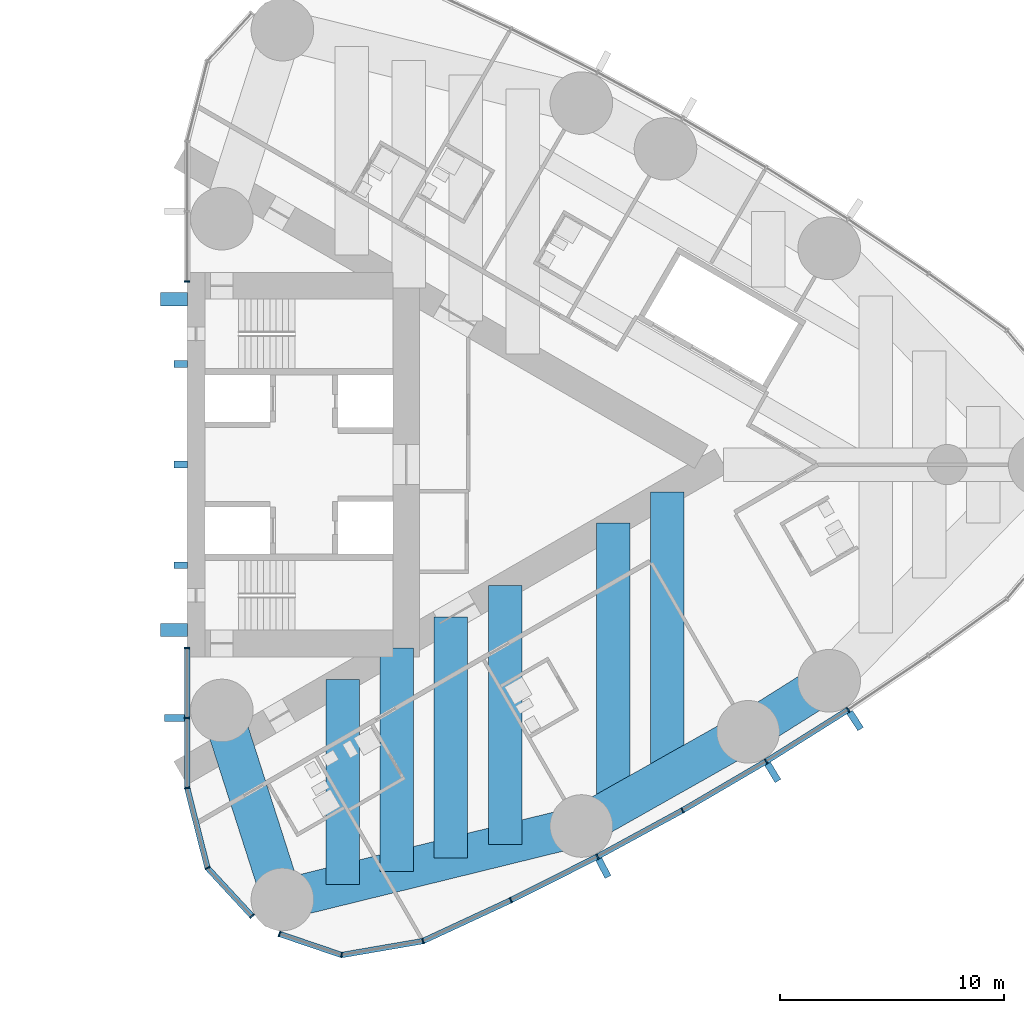
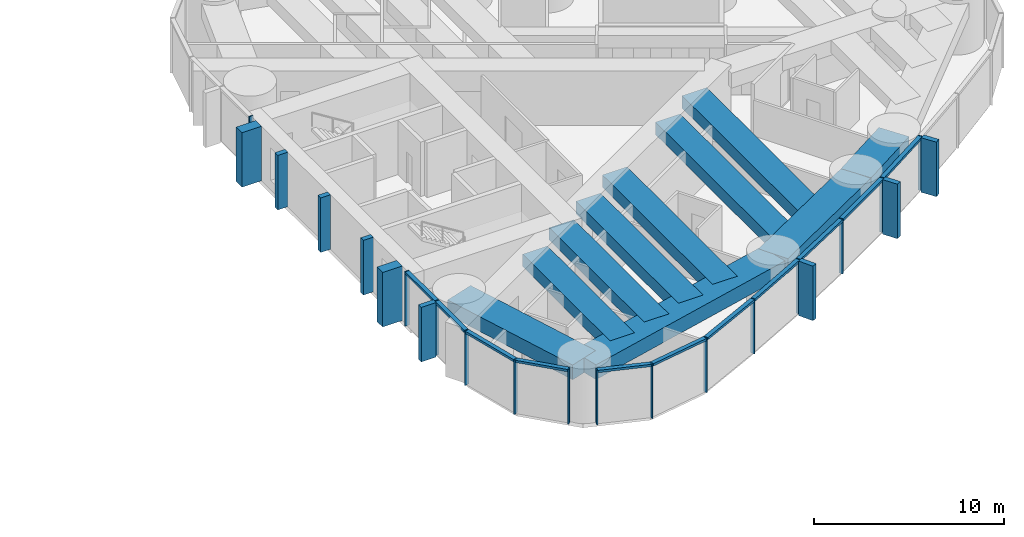
# One storey, part 6 of 19: 34 members, 10 beams, 3 elements without a shape of their own.
"""IFC4 building model written with IfcOpenShell, lengths in metres."""

from ifc_helpers import new_model, si_unit, direction, frame, origin, origin_2d, place, context, subcontext, project, spatial, rectangle, extrude, material, material_profile, profile_set, type_object, element, aggregate, save


model = new_model("IFC4")

# Units and contexts
model_context = context("Model", 3, precision=1e-05, world=origin(), true_north=direction((0.0, 1.0)))
body_context = subcontext(model_context, "Body", "Model", "MODEL_VIEW")
ifc_project = project(units=[si_unit("LENGTHUNIT", "METRE"), si_unit("AREAUNIT", "SQUARE_METRE"), si_unit("VOLUMEUNIT", "CUBIC_METRE"), si_unit("PLANEANGLEUNIT", "RADIAN"), si_unit("MASSUNIT", "GRAM", prefix="KILO")], contexts=[model_context])

# Site, building, storey
site_placement = place(None, origin())
site = spatial("IfcSite", under=ifc_project, at=site_placement, CompositionType="ELEMENT")
building_placement = place(site_placement, origin())
building = spatial("IfcBuilding", under=site, at=building_placement, Name="Lancet Gate Hotel", CompositionType="ELEMENT")
storey_placement = place(building_placement, frame((0.0, 0.0, 184.300048828125)))
storey = spatial("IfcBuildingStorey", under=building, at=storey_placement, Name="L49", CompositionType="ELEMENT", Elevation=184.300048828125)

# Curtain wall, members
ifc_material_1 = material(Name="Aluminium curtain wall", Category="aluminium")
curtain_wall_type = type_object("IfcCurtainWallType", Name="Tower unitised curtain wall", PredefinedType="USERDEFINED", material=ifc_material_1)
curtain_wall_1_placement = place(storey_placement, origin())
curtain_wall_1 = element("IfcCurtainWall", 1, at=curtain_wall_1_placement, inside=storey, type_object=curtain_wall_type, Name="T2 L49 curtain wall 1", ObjectType="UNITISED CURTAIN WALL", PredefinedType="USERDEFINED")
ifc_material_2 = material(Name="Aluminium mullion", Category="aluminium")
ifc_material_profile_1 = material_profile(ifc_material_2, rectangle(XDim=0.06494140625, YDim=0.25, at=origin_2d()), Name="MULLION 65x250")
ifc_profile_set_1 = profile_set([ifc_material_profile_1], Name="Aluminium mullion")
member_type_1 = type_object("IfcMemberType", Name="Aluminium mullion 65x250", PredefinedType="MULLION", material=ifc_profile_set_1)
member_1_placement = place(storey_placement, frame((27.5, -8.199951171875, 0.0), z_axis=(0.0, 0.0, 1.0), x_axis=(0.0, -1.0, 0.0)))
member_1 = element("IfcMember", 2, at=member_1_placement, type_object=member_type_1, Name="T2 L49 curtain wall 1 mullion 1", PredefinedType="MULLION", context=body_context, shape_type="SweptSolid", body=[
    extrude(rectangle(XDim=0.06494140625, YDim=0.25, at=origin_2d()), origin(), (0.0, 0.0, 1.0), 3.5),
])
member_2_placement = place(storey_placement, frame((27.5, -11.332763671875, 0.0), z_axis=(0.0, 0.0, 1.0), x_axis=(0.0, -1.0, 0.0)))
member_2 = element("IfcMember", 3, at=member_2_placement, type_object=member_type_1, Name="T2 L49 curtain wall 1 mullion 2", PredefinedType="MULLION", context=body_context, shape_type="SweptSolid", body=[
    extrude(rectangle(XDim=0.06494140625, YDim=0.25, at=origin_2d()), origin(), (0.0, 0.0, 1.0), 3.5),
])
member_3_placement = place(storey_placement, frame((27.5, -14.465576171875, 0.0), z_axis=(0.0, 0.0, 1.0), x_axis=(0.134206524909, -0.990953383703, 0.0)))
member_3 = element("IfcMember", 4, at=member_3_placement, type_object=member_type_1, Name="T2 L49 curtain wall 1 mullion 3", PredefinedType="MULLION", context=body_context, shape_type="SweptSolid", body=[
    extrude(rectangle(XDim=0.06494140625, YDim=0.25, at=origin_2d()), origin(), (0.0, 0.0, 1.0), 3.5),
])
member_4_placement = place(storey_placement, frame((28.408935546875, -18.04443359375, 0.0), z_axis=(0.0, 0.0, 1.0), x_axis=(0.451505925065, -0.892268120932, 0.0)))
member_4 = element("IfcMember", 5, at=member_4_placement, type_object=member_type_1, Name="T2 L49 curtain wall 1 mullion 4", PredefinedType="MULLION", context=body_context, shape_type="SweptSolid", body=[
    extrude(rectangle(XDim=0.06494140625, YDim=0.25, at=origin_2d()), origin(), (0.0, 0.0, 1.0), 3.5),
])
member_5_placement = place(storey_placement, frame((30.40185546875, -20.199951171875, 0.0), z_axis=(0.0, 0.0, 1.0), x_axis=(0.67883123083, -0.734294327943, 0.0)))
member_5 = element("IfcMember", 6, at=member_5_placement, type_object=member_type_1, Name="T2 L49 curtain wall 1 mullion 5", PredefinedType="MULLION", context=body_context, shape_type="SweptSolid", body=[
    extrude(rectangle(XDim=0.06494140625, YDim=0.25, at=origin_2d()), origin(), (0.0, 0.0, 1.0), 3.5),
])

curtain_wall_2_placement = place(storey_placement, origin())
curtain_wall_2 = element("IfcCurtainWall", 7, at=curtain_wall_2_placement, inside=storey, type_object=curtain_wall_type, Name="T2 L49 curtain wall 2", ObjectType="UNITISED CURTAIN WALL", PredefinedType="USERDEFINED")
member_6_placement = place(storey_placement, frame((31.631591796875, -20.998779296875, 0.0), z_axis=(0.0, 0.0, 1.0), x_axis=(0.946952368511, -0.321373943827, 0.0)))
member_6 = element("IfcMember", 8, at=member_6_placement, type_object=member_type_1, Name="T2 L49 curtain wall 2 mullion 1", PredefinedType="MULLION", context=body_context, shape_type="SweptSolid", body=[
    extrude(rectangle(XDim=0.06494140625, YDim=0.25, at=origin_2d()), origin(), (0.0, 0.0, 1.0), 3.5),
])
member_7_placement = place(storey_placement, frame((34.412109375, -21.9423828125, 0.0), z_axis=(0.0, 0.0, 1.0), x_axis=(0.99877556888, -0.049470829879, 0.0)))
member_7 = element("IfcMember", 9, at=member_7_placement, type_object=member_type_1, Name="T2 L49 curtain wall 2 mullion 2", PredefinedType="MULLION", context=body_context, shape_type="SweptSolid", body=[
    extrude(rectangle(XDim=0.06494140625, YDim=0.25, at=origin_2d()), origin(), (0.0, 0.0, 1.0), 3.5),
])
member_8_placement = place(storey_placement, frame((38.05126953125, -21.31689453125, 0.0), z_axis=(0.0, 0.0, 1.0), x_axis=(0.951355493327, 0.308095318555, 0.0)))
member_8 = element("IfcMember", 10, at=member_8_placement, type_object=member_type_1, Name="T2 L49 curtain wall 2 mullion 3", PredefinedType="MULLION", context=body_context, shape_type="SweptSolid", body=[
    extrude(rectangle(XDim=0.06494140625, YDim=0.25, at=origin_2d()), origin(), (0.0, 0.0, 1.0), 3.5),
])
member_9_placement = place(storey_placement, frame((41.98193359375, -19.490966796875, 0.0), z_axis=(0.0, 0.0, 1.0), x_axis=(0.900141333422, 0.435597956681, 0.0)))
member_9 = element("IfcMember", 11, at=member_9_placement, type_object=member_type_1, Name="T2 L49 curtain wall 2 mullion 4", PredefinedType="MULLION", context=body_context, shape_type="SweptSolid", body=[
    extrude(rectangle(XDim=0.06494140625, YDim=0.25, at=origin_2d()), origin(), (0.0, 0.0, 1.0), 3.5),
])
member_10_placement = place(storey_placement, frame((45.8525390625, -17.54150390625, 0.0), z_axis=(0.0, 0.0, 1.0), x_axis=(0.885877049989, 0.463920092584, 0.0)))
member_10 = element("IfcMember", 12, at=member_10_placement, type_object=member_type_1, Name="T2 L49 curtain wall 2 mullion 5", PredefinedType="MULLION", context=body_context, shape_type="SweptSolid", body=[
    extrude(rectangle(XDim=0.06494140625, YDim=0.25, at=origin_2d()), origin(), (0.0, 0.0, 1.0), 3.5),
])
member_11_placement = place(storey_placement, frame((49.65966796875, -15.47021484375, 0.0), z_axis=(0.0, 0.0, 1.0), x_axis=(0.870721916932, 0.491775704336, 0.0)))
member_11 = element("IfcMember", 13, at=member_11_placement, type_object=member_type_1, Name="T2 L49 curtain wall 2 mullion 6", PredefinedType="MULLION", context=body_context, shape_type="SweptSolid", body=[
    extrude(rectangle(XDim=0.06494140625, YDim=0.25, at=origin_2d()), origin(), (0.0, 0.0, 1.0), 3.5),
])
member_12_placement = place(storey_placement, frame((53.39892578125, -13.279541015625, 0.0), z_axis=(0.0, 0.0, 1.0), x_axis=(0.854691174453, 0.519136779965, 0.0)))
member_12 = element("IfcMember", 14, at=member_12_placement, type_object=member_type_1, Name="T2 L49 curtain wall 2 mullion 7", PredefinedType="MULLION", context=body_context, shape_type="SweptSolid", body=[
    extrude(rectangle(XDim=0.06494140625, YDim=0.25, at=origin_2d()), origin(), (0.0, 0.0, 1.0), 3.5),
])
member_13_placement = place(storey_placement, frame((57.067138671875, -10.970947265625, 0.0), z_axis=(0.0, 0.0, 1.0), x_axis=(0.837800943278, 0.545975804815, 0.0)))
member_13 = element("IfcMember", 15, at=member_13_placement, type_object=member_type_1, Name="T2 L49 curtain wall 2 mullion 8", PredefinedType="MULLION", context=body_context, shape_type="SweptSolid", body=[
    extrude(rectangle(XDim=0.06494140625, YDim=0.25, at=origin_2d()), origin(), (0.0, 0.0, 1.0), 3.5),
])

# Curtain wall, member
curtain_wall_3_placement = place(storey_placement, origin())
curtain_wall_3 = element("IfcCurtainWall", 16, at=curtain_wall_3_placement, inside=storey, type_object=curtain_wall_type, Name="T2 L49 curtain wall 4", ObjectType="UNITISED CURTAIN WALL", PredefinedType="USERDEFINED")
member_14_placement = place(storey_placement, frame((27.5, 8.199951171875, 0.0), z_axis=(0.0, 0.0, 1.0), x_axis=(0.0, -1.0, 0.0)))
member_14 = element("IfcMember", 17, at=member_14_placement, type_object=member_type_1, Name="T2 L49 curtain wall 4 mullion 5", PredefinedType="MULLION", context=body_context, shape_type="SweptSolid", body=[
    extrude(rectangle(XDim=0.06494140625, YDim=0.25, at=origin_2d()), origin(), (0.0, 0.0, 1.0), 3.5),
])
aggregate(curtain_wall_3, [member_14])

# Member
ifc_material_3 = material(Name="Aluminium transom", Category="aluminium")
ifc_material_profile_2 = material_profile(ifc_material_3, rectangle(XDim=0.25, YDim=0.14990234375, at=origin_2d()), Name="TRANSOM 250x150")
ifc_profile_set_2 = profile_set([ifc_material_profile_2], Name="Aluminium transom")
member_type_2 = type_object("IfcMemberType", Name="Aluminium transom 250x150", PredefinedType="USERDEFINED", material=ifc_profile_set_2)
member_15_placement = place(storey_placement, frame((27.5, -8.232421875, 3.425048828125), z_axis=(0.0, -1.0, 0.0), x_axis=(1.0, 0.0, 0.0)))
member_15 = element("IfcMember", 18, at=member_15_placement, type_object=member_type_2, Name="T2 L49 curtain wall 1 transom 1", ObjectType="TRANSOM", PredefinedType="USERDEFINED", context=body_context, shape_type="SweptSolid", body=[
    extrude(rectangle(XDim=0.25, YDim=0.14990234375, at=origin_2d()), origin(), (0.0, 0.0, 1.0), 3.06787109375),
])

member_16_placement = place(storey_placement, frame((27.5, -11.365234375, 3.425048828125), z_axis=(0.0, -1.0, 0.0), x_axis=(1.0, 0.0, 0.0)))
member_16 = element("IfcMember", 19, at=member_16_placement, type_object=member_type_2, Name="T2 L49 curtain wall 1 transom 2", ObjectType="TRANSOM", PredefinedType="USERDEFINED", context=body_context, shape_type="SweptSolid", body=[
    extrude(rectangle(XDim=0.25, YDim=0.14990234375, at=origin_2d()), origin(), (0.0, 0.0, 1.0), 3.06787109375),
])

member_17_placement = place(storey_placement, frame((27.508056640625, -14.4970703125, 3.425048828125), z_axis=(0.246128756616, -0.969237140831, 0.0), x_axis=(0.969237140831, 0.246128756616, 0.0)))
member_17 = element("IfcMember", 20, at=member_17_placement, type_object=member_type_2, Name="T2 L49 curtain wall 1 transom 3", ObjectType="TRANSOM", PredefinedType="USERDEFINED", context=body_context, shape_type="SweptSolid", body=[
    extrude(rectangle(XDim=0.25, YDim=0.14990234375, at=origin_2d()), origin(), (0.0, 0.0, 1.0), 3.62744140625),
])

member_18_placement = place(storey_placement, frame((28.43115234375, -18.068359375, 3.425048828125), z_axis=(0.678792146129, -0.734330458549, 0.0), x_axis=(0.734330458549, 0.678792146129, 0.0)))
member_18 = element("IfcMember", 21, at=member_18_placement, type_object=member_type_2, Name="T2 L49 curtain wall 1 transom 4", ObjectType="TRANSOM", PredefinedType="USERDEFINED", context=body_context, shape_type="SweptSolid", body=[
    extrude(rectangle(XDim=0.25, YDim=0.14990234375, at=origin_2d()), origin(), (0.0, 0.0, 1.0), 2.87060546875),
])

member_19_placement = place(storey_placement, frame((31.662353515625, -21.00927734375, 3.425048828125), z_axis=(0.946943122832, -0.321401185625, 0.0), x_axis=(0.321401185625, 0.946943122832, 0.0)))
member_19 = element("IfcMember", 22, at=member_19_placement, type_object=member_type_2, Name="T2 L49 curtain wall 2 transom 1", ObjectType="TRANSOM", PredefinedType="USERDEFINED", context=body_context, shape_type="SweptSolid", body=[
    extrude(rectangle(XDim=0.25, YDim=0.14990234375, at=origin_2d()), origin(), (0.0, 0.0, 1.0), 2.871337890625),
])

member_20_placement = place(storey_placement, frame((34.444091796875, -21.93701171875, 3.425048828125), z_axis=(0.985536950873, 0.169460669373, 0.0), x_axis=(-0.169460669373, 0.985536950873, 0.0)))
member_20 = element("IfcMember", 23, at=member_20_placement, type_object=member_type_2, Name="T2 L49 curtain wall 2 transom 2", ObjectType="TRANSOM", PredefinedType="USERDEFINED", context=body_context, shape_type="SweptSolid", body=[
    extrude(rectangle(XDim=0.25, YDim=0.14990234375, at=origin_2d()), origin(), (0.0, 0.0, 1.0), 3.627685546875),
])

member_21_placement = place(storey_placement, frame((38.080810546875, -21.30322265625, 3.425048828125), z_axis=(0.906913768492, 0.421316290357, 0.0), x_axis=(-0.421316290357, 0.906913768492, 0.0)))
member_21 = element("IfcMember", 24, at=member_21_placement, type_object=member_type_2, Name="T2 L49 curtain wall 2 transom 3", ObjectType="TRANSOM", PredefinedType="USERDEFINED", context=body_context, shape_type="SweptSolid", body=[
    extrude(rectangle(XDim=0.25, YDim=0.14990234375, at=origin_2d()), origin(), (0.0, 0.0, 1.0), 4.26904296875),
])

member_22_placement = place(storey_placement, frame((42.010986328125, -19.476318359375, 3.425048828125), z_axis=(0.893130969207, 0.449796700571, 0.0), x_axis=(-0.449796700571, 0.893130969207, 0.0)))
member_22 = element("IfcMember", 25, at=member_22_placement, type_object=member_type_2, Name="T2 L49 curtain wall 2 transom 4", ObjectType="TRANSOM", PredefinedType="USERDEFINED", context=body_context, shape_type="SweptSolid", body=[
    extrude(rectangle(XDim=0.25, YDim=0.14990234375, at=origin_2d()), origin(), (0.0, 0.0, 1.0), 4.26904296875),
])

member_23_placement = place(storey_placement, frame((45.881103515625, -17.526123046875, 3.425048828125), z_axis=(0.878404302735, 0.477918278513, 0.0), x_axis=(-0.477918278513, 0.878404302735, 0.0)))
member_23 = element("IfcMember", 26, at=member_23_placement, type_object=member_type_2, Name="T2 L49 curtain wall 2 transom 5", ObjectType="TRANSOM", PredefinedType="USERDEFINED", context=body_context, shape_type="SweptSolid", body=[
    extrude(rectangle(XDim=0.25, YDim=0.14990234375, at=origin_2d()), origin(), (0.0, 0.0, 1.0), 4.26904296875),
])

member_24_placement = place(storey_placement, frame((49.687744140625, -15.453857421875, 3.425048828125), z_axis=(0.862825279032, 0.505502262966, 0.0), x_axis=(-0.505502262966, 0.862825279032, 0.0)))
member_24 = element("IfcMember", 27, at=member_24_placement, type_object=member_type_2, Name="T2 L49 curtain wall 2 transom 6", ObjectType="TRANSOM", PredefinedType="USERDEFINED", context=body_context, shape_type="SweptSolid", body=[
    extrude(rectangle(XDim=0.25, YDim=0.14990234375, at=origin_2d()), origin(), (0.0, 0.0, 1.0), 4.26904296875),
])

member_25_placement = place(storey_placement, frame((53.426513671875, -13.26220703125, 3.425048828125), z_axis=(0.846333101657, 0.532653997488, 0.0), x_axis=(-0.532653997488, 0.846333101657, 0.0)))
member_25 = element("IfcMember", 28, at=member_25_placement, type_object=member_type_2, Name="T2 L49 curtain wall 2 transom 7", ObjectType="TRANSOM", PredefinedType="USERDEFINED", context=body_context, shape_type="SweptSolid", body=[
    extrude(rectangle(XDim=0.25, YDim=0.14990234375, at=origin_2d()), origin(), (0.0, 0.0, 1.0), 4.26904296875),
])

# Beams
ifc_material_4 = material(Name="Concrete C50/60", Category="concrete")
ifc_material_profile_3 = material_profile(ifc_material_4, rectangle(XDim=1.800048828125, YDim=0.949951171875, at=origin_2d()), Name="RC 1800x950")
ifc_profile_set_3 = profile_set([ifc_material_profile_3], Name="Concrete C50/60")
beam_type_1 = type_object("IfcBeamType", Name="Edge beam RC 1800x950", PredefinedType="SPANDREL", material=ifc_profile_set_3)
beam_1_placement = place(storey_placement, frame((31.759765625, -19.455810546875, 2.77490234375), z_axis=(0.971093253227, 0.238700426344, 0.0), x_axis=(-0.238700426344, 0.971093253227, 0.0)))
element("IfcBeam", 29, at=beam_1_placement, inside=storey, type_object=beam_type_1, Name="T2 edge beam EB1 L49", PredefinedType="SPANDREL", context=body_context, shape_type="SweptSolid", body=[
    extrude(rectangle(XDim=1.800048828125, YDim=0.949951171875, at=origin_2d()), origin(), (0.0, 0.0, 1.0), 13.77197265625),
])
beam_2_placement = place(storey_placement, frame((45.133544921875, -16.16845703125, 2.77490234375), z_axis=(0.870721990329, 0.491775574381, 0.0), x_axis=(-0.491775574381, 0.870721990329, 0.0)))
element("IfcBeam", 30, at=beam_2_placement, inside=storey, type_object=beam_type_1, Name="T2 edge beam EB1 L49", PredefinedType="SPANDREL", context=body_context, shape_type="SweptSolid", body=[
    extrude(rectangle(XDim=1.800048828125, YDim=0.949951171875, at=origin_2d()), origin(), (0.0, 0.0, 1.0), 8.568603515625),
])
beam_3_placement = place(storey_placement, frame((52.594482421875, -11.95458984375, 2.77490234375), z_axis=(0.846348902569, 0.532628890617, 0.0), x_axis=(-0.532628890617, 0.846348902569, 0.0)))
element("IfcBeam", 31, at=beam_3_placement, inside=storey, type_object=beam_type_1, Name="T2 edge beam EB1 L49", PredefinedType="SPANDREL", context=body_context, shape_type="SweptSolid", body=[
    extrude(rectangle(XDim=1.800048828125, YDim=0.949951171875, at=origin_2d()), origin(), (0.0, 0.0, 1.0), 4.284912109375),
])
beam_4_placement = place(storey_placement, frame((31.759765625, -19.455810546875, 2.77490234375), z_axis=(-0.305169772986, 0.952297962644, 0.0), x_axis=(-0.952297962644, -0.305169772986, 0.0)))
element("IfcBeam", 32, at=beam_4_placement, inside=storey, type_object=beam_type_1, Name="T2 edge beam EB1 L49", PredefinedType="SPANDREL", context=body_context, shape_type="SweptSolid", body=[
    extrude(rectangle(XDim=1.800048828125, YDim=0.949951171875, at=origin_2d()), origin(), (0.0, 0.0, 1.0), 8.87939453125),
])

# Members
ifc_material_5 = material(Name="Concrete C60/75", Category="concrete")
ifc_material_profile_4 = material_profile(ifc_material_5, rectangle(XDim=0.60009765625, YDim=1.199951171875, at=origin_2d()), Name="FIN 600x1200")
ifc_profile_set_4 = profile_set([ifc_material_profile_4], Name="Concrete C60/75")
member_type_3 = type_object("IfcMemberType", Name="Exposed concrete buttress pilaster 600x1200", PredefinedType="USERDEFINED", material=ifc_profile_set_4)
for number, where, z_axis, x_axis, name in (
    (33, (26.909912109375, -7.39990234375, 0.0), (0.0, 0.0, 1.0), (0.0, 1.0, 0.0), "T2 buttress pilaster S L49"),
    (34, (26.909912109375, 7.39990234375, 0.0), (0.0, 0.0, 1.0), (0.0, 1.0, 0.0), "T2 buttress pilaster N L49"),
):
    element("IfcMember", number, at=place(storey_placement, frame(where, z_axis=z_axis, x_axis=x_axis)), inside=storey, type_object=member_type_3, Name=name, ObjectType="FIN", PredefinedType="USERDEFINED", context=body_context, shape_type="SweptSolid", body=[
        extrude(rectangle(XDim=0.60009765625, YDim=1.199951171875, at=origin_2d()), origin(), (0.0, 0.0, 1.0), 3.5),
    ])

# Member
ifc_material_6 = material(Name="Precast concrete C50/60", Category="concrete")
ifc_material_profile_5 = material_profile(ifc_material_6, rectangle(XDim=0.300048828125, YDim=0.89990234375, at=origin_2d()), Name="FIN 300x900")
ifc_profile_set_5 = profile_set([ifc_material_profile_5], Name="Precast concrete C50/60")
member_type_4 = type_object("IfcMemberType", Name="Exposed concrete fin 300x900", PredefinedType="USERDEFINED", material=ifc_profile_set_5)
member_26_placement = place(storey_placement, frame((26.925048828125, -11.332763671875, 0.0), z_axis=(0.0, 0.0, 1.0), x_axis=(0.0, -1.0, 0.0)))
member_26 = element("IfcMember", 35, at=member_26_placement, type_object=member_type_4, Name="T2 L49 curtain wall 1 fin 2", ObjectType="FIN", PredefinedType="USERDEFINED", context=body_context, shape_type="SweptSolid", body=[
    extrude(rectangle(XDim=0.300048828125, YDim=0.89990234375, at=origin_2d()), origin(), (0.0, 0.0, 1.0), 3.5),
])

aggregate(curtain_wall_1, [member_1, member_2, member_26, member_3, member_4, member_5, member_15, member_16, member_17, member_18])

member_27_placement = place(storey_placement, frame((46.119384765625, -18.051025390625, 0.0), z_axis=(0.0, 0.0, 1.0), x_axis=(0.885877049989, 0.463920092584, 0.0)))
member_27 = element("IfcMember", 36, at=member_27_placement, type_object=member_type_4, Name="T2 L49 curtain wall 2 fin 5", ObjectType="FIN", PredefinedType="USERDEFINED", context=body_context, shape_type="SweptSolid", body=[
    extrude(rectangle(XDim=0.300048828125, YDim=0.89990234375, at=origin_2d()), origin(), (0.0, 0.0, 1.0), 3.5),
])

member_28_placement = place(storey_placement, frame((53.697509765625, -13.770751953125, 0.0), z_axis=(0.0, 0.0, 1.0), x_axis=(0.854691174453, 0.519136779965, 0.0)))
member_28 = element("IfcMember", 37, at=member_28_placement, type_object=member_type_4, Name="T2 L49 curtain wall 2 fin 7", ObjectType="FIN", PredefinedType="USERDEFINED", context=body_context, shape_type="SweptSolid", body=[
    extrude(rectangle(XDim=0.300048828125, YDim=0.89990234375, at=origin_2d()), origin(), (0.0, 0.0, 1.0), 3.5),
])

member_29_placement = place(storey_placement, frame((57.381103515625, -11.452880859375, 0.0), z_axis=(0.0, 0.0, 1.0), x_axis=(0.837800943278, 0.545975804815, 0.0)))
member_29 = element("IfcMember", 38, at=member_29_placement, type_object=member_type_4, Name="T2 L49 curtain wall 2 fin 8", ObjectType="FIN", PredefinedType="USERDEFINED", context=body_context, shape_type="SweptSolid", body=[
    extrude(rectangle(XDim=0.300048828125, YDim=0.89990234375, at=origin_2d()), origin(), (0.0, 0.0, 1.0), 3.5),
])

aggregate(curtain_wall_2, [member_6, member_7, member_8, member_9, member_10, member_27, member_11, member_12, member_28, member_13, member_29, member_19, member_20, member_21, member_22, member_23, member_24, member_25])

# Members
ifc_material_7 = material(Name="Concrete C60/75", Category="concrete")
ifc_material_profile_6 = material_profile(ifc_material_7, rectangle(XDim=0.300048828125, YDim=0.60009765625, at=origin_2d()), Name="FIN 300x600")
ifc_profile_set_6 = profile_set([ifc_material_profile_6], Name="Concrete C60/75")
member_type_5 = type_object("IfcMemberType", Name="Exposed concrete rib 300x600", PredefinedType="USERDEFINED", material=ifc_profile_set_6)
for number, where, z_axis, x_axis, name in (
    (39, (27.2099609375, -4.5, 0.0), (0.0, 0.0, 1.0), (0.0, 1.0, 0.0), "T2 core rib 1 L49"),
    (40, (27.2099609375, 0.0, 0.0), (0.0, 0.0, 1.0), (0.0, 1.0, 0.0), "T2 core rib 2 L49"),
    (41, (27.2099609375, 4.5, 0.0), (0.0, 0.0, 1.0), (0.0, 1.0, 0.0), "T2 core rib 3 L49"),
):
    element("IfcMember", number, at=place(storey_placement, frame(where, z_axis=z_axis, x_axis=x_axis)), inside=storey, type_object=member_type_5, Name=name, ObjectType="FIN", PredefinedType="USERDEFINED", context=body_context, shape_type="SweptSolid", body=[
        extrude(rectangle(XDim=0.300048828125, YDim=0.60009765625, at=origin_2d()), origin(), (0.0, 0.0, 1.0), 3.5),
    ])

# Beams
ifc_material_8 = material(Name="Concrete C50/60", Category="concrete")
ifc_material_profile_7 = material_profile(ifc_material_8, rectangle(XDim=1.5, YDim=0.800048828125, at=origin_2d()), Name="RC 1500x800")
ifc_profile_set_7 = profile_set([ifc_material_profile_7], Name="Concrete C50/60")
beam_type_2 = type_object("IfcBeamType", Name="Floor beam RC 1500x800", PredefinedType="BEAM", material=ifc_profile_set_7)
beam_5_placement = place(storey_placement, frame((34.460693359375, -18.7919921875, 2.849853515625), z_axis=(0.0, 1.0, 0.0), x_axis=(-1.0, 0.0, 0.0)))
element("IfcBeam", 42, at=beam_5_placement, inside=storey, type_object=beam_type_2, Name="T2 floor beam F01S L49", PredefinedType="BEAM", context=body_context, shape_type="SweptSolid", body=[
    extrude(rectangle(XDim=1.5, YDim=0.800048828125, at=origin_2d()), origin(), (0.0, 0.0, 1.0), 9.18408203125),
])
beam_6_placement = place(storey_placement, frame((36.880859375, -18.197021484375, 2.849853515625), z_axis=(0.0, 1.0, 0.0), x_axis=(-1.0, 0.0, 0.0)))
element("IfcBeam", 43, at=beam_6_placement, inside=storey, type_object=beam_type_2, Name="T2 floor beam F03S L49", PredefinedType="BEAM", context=body_context, shape_type="SweptSolid", body=[
    extrude(rectangle(XDim=1.5, YDim=0.800048828125, at=origin_2d()), origin(), (0.0, 0.0, 1.0), 9.986328125),
])
beam_7_placement = place(storey_placement, frame((39.301025390625, -17.60205078125, 2.849853515625), z_axis=(0.0, 1.0, 0.0), x_axis=(-1.0, 0.0, 0.0)))
element("IfcBeam", 44, at=beam_7_placement, inside=storey, type_object=beam_type_2, Name="T2 floor beam F05S L49", PredefinedType="BEAM", context=body_context, shape_type="SweptSolid", body=[
    extrude(rectangle(XDim=1.5, YDim=0.800048828125, at=origin_2d()), origin(), (0.0, 0.0, 1.0), 10.78857421875),
])
beam_8_placement = place(storey_placement, frame((41.721435546875, -17.007080078125, 2.849853515625), z_axis=(0.0, 1.0, 0.0), x_axis=(-1.0, 0.0, 0.0)))
element("IfcBeam", 45, at=beam_8_placement, inside=storey, type_object=beam_type_2, Name="T2 floor beam F07S L49", PredefinedType="BEAM", context=body_context, shape_type="SweptSolid", body=[
    extrude(rectangle(XDim=1.5, YDim=0.800048828125, at=origin_2d()), origin(), (0.0, 0.0, 1.0), 11.591064453125),
])
beam_9_placement = place(storey_placement, frame((46.561767578125, -15.36181640625, 2.849853515625), z_axis=(0.0, 1.0, 0.0), x_axis=(-1.0, 0.0, 0.0)))
element("IfcBeam", 46, at=beam_9_placement, inside=storey, type_object=beam_type_2, Name="T2 floor beam F09S L49", PredefinedType="BEAM", context=body_context, shape_type="SweptSolid", body=[
    extrude(rectangle(XDim=1.5, YDim=0.800048828125, at=origin_2d()), origin(), (0.0, 0.0, 1.0), 12.740478515625),
])
beam_10_placement = place(storey_placement, frame((48.98193359375, -13.994873046875, 2.849853515625), z_axis=(0.0, 1.0, 0.0), x_axis=(-1.0, 0.0, 0.0)))
element("IfcBeam", 47, at=beam_10_placement, inside=storey, type_object=beam_type_2, Name="T2 floor beam F10S L49", PredefinedType="BEAM", context=body_context, shape_type="SweptSolid", body=[
    extrude(rectangle(XDim=1.5, YDim=0.800048828125, at=origin_2d()), origin(), (0.0, 0.0, 1.0), 12.770751953125),
])

save(model, "model.ifc")
